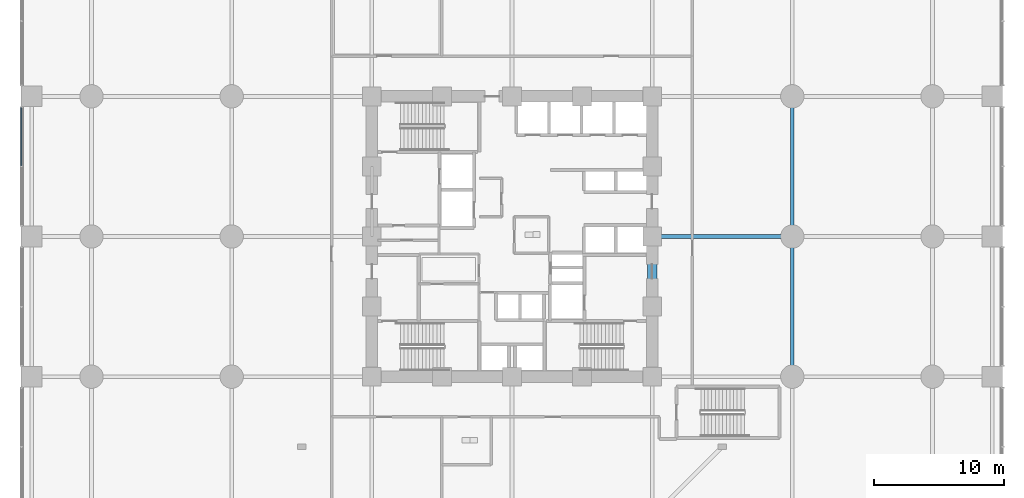
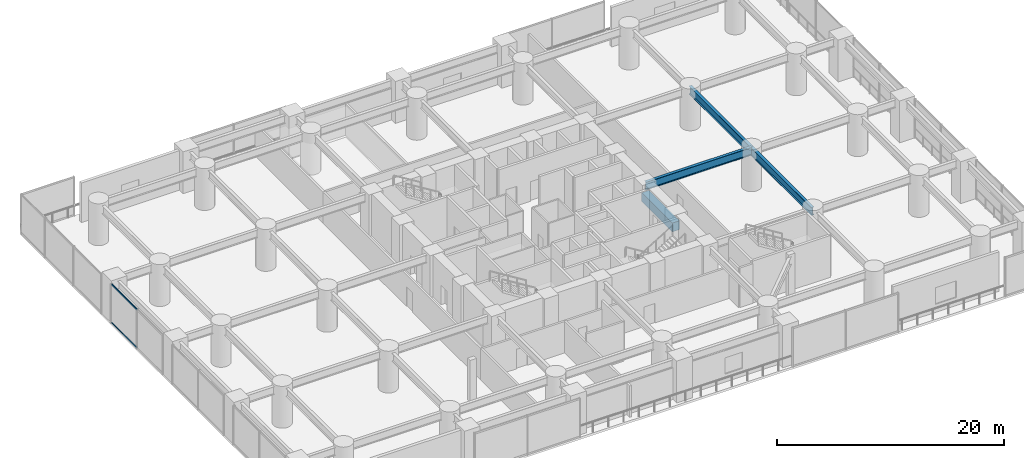
# One storey, part 10 of 36: 4 beams, 2 members, 1 element without a shape of its own.
"""IFC4 building model written with IfcOpenShell, lengths in metres."""

from ifc_helpers import new_model, si_unit, direction, frame, origin, origin_2d, place, context, subcontext, project, spatial, rectangle, hollow_rectangle, i_section, extrude, material, layer, layer_set, material_profile, profile_set, type_object, element, aggregate, save


model = new_model("IFC4")

# Units and contexts
model_context = context("Model", 3, precision=1e-05, world=origin(), true_north=direction((0.0, 1.0)))
body_context = subcontext(model_context, "Body", "Model", "MODEL_VIEW")
ifc_project = project(units=[si_unit("LENGTHUNIT", "METRE"), si_unit("AREAUNIT", "SQUARE_METRE"), si_unit("VOLUMEUNIT", "CUBIC_METRE"), si_unit("PLANEANGLEUNIT", "RADIAN"), si_unit("MASSUNIT", "GRAM", prefix="KILO")], contexts=[model_context])

# Site, building, storey
site_placement = place(None, origin())
site = spatial("IfcSite", under=ifc_project, at=site_placement, CompositionType="ELEMENT")
building_placement = place(site_placement, origin())
building = spatial("IfcBuilding", under=site, at=building_placement, Name="Surkhivell Harbour Commons", CompositionType="ELEMENT")
storey_placement = place(building_placement, frame((0.0, 0.0, 9.0)))
storey = spatial("IfcBuildingStorey", under=building, at=storey_placement, Name="L02", CompositionType="ELEMENT", Elevation=9.0)

# Beams
ifc_material_1 = material(Name="Concrete C60/75", Category="concrete")
ifc_material_profile_1 = material_profile(ifc_material_1, rectangle(XDim=0.75, YDim=0.949951171875, at=origin_2d()), Name="RC-CBM-750x950")
ifc_profile_set_1 = profile_set([ifc_material_profile_1], Name="Concrete C60/75")
beam_type_1 = type_object("IfcBeamType", Name="BM-CPL-RC950", PredefinedType="BEAM", material=ifc_profile_set_1)
beam_placement = place(storey_placement, frame((10.800048828125, -5.39990234375, 2.699951171875), z_axis=(0.0, 1.0, 0.0), x_axis=(-1.0, 0.0, 0.0)))
element("IfcBeam", 1, at=beam_placement, inside=storey, type_object=beam_type_1, Name="L02 Core Coupling Beam CB-1", PredefinedType="BEAM", context=body_context, shape_type="SweptSolid", body=[
    extrude(rectangle(XDim=0.75, YDim=0.949951171875, at=origin_2d()), origin(), (0.0, 0.0, 1.0), 5.39990234375),
])
ifc_material_2 = material(Name="Steel S460", Category="steel")
ifc_material_profile_2 = material_profile(ifc_material_2, i_section(OverallWidth=0.2939453125, OverallDepth=0.85107421875, WebThickness=0.01611328125, FlangeThickness=0.02685546875, at=origin_2d()), Name="UB838x292x226")
ifc_profile_set_2 = profile_set([ifc_material_profile_2], Name="Steel S460")
beam_type_2 = type_object("IfcBeamType", Name="BM-SPN-838", PredefinedType="SPANDREL", material=ifc_profile_set_2)
for number, where, z_axis, x_axis, name in (
    (2, (10.800048828125, 0.0, 3.824462890625), (1.0, 0.0, 0.0), (0.0, 1.0, 0.0), "L02 Framing Beam (10.8,0.0)"),
    (3, (21.60009765625, -10.800048828125, 3.824462890625), (0.0, 1.0, 0.0), (-1.0, 0.0, 0.0), "L02 Framing Beam (21.6,-10.8)"),
    (4, (21.60009765625, 0.0, 3.824462890625), (0.0, 1.0, 0.0), (-1.0, 0.0, 0.0), "L02 Framing Beam (21.6,0.0)"),
):
    element("IfcBeam", number, at=place(storey_placement, frame(where, z_axis=z_axis, x_axis=x_axis)), inside=storey, type_object=beam_type_2, Name=name, PredefinedType="SPANDREL", context=body_context, shape_type="SweptSolid", body=[
        extrude(i_section(OverallWidth=0.2939453125, OverallDepth=0.85107421875, WebThickness=0.01611328125, FlangeThickness=0.02685546875, at=origin_2d()), origin(), (0.0, 0.0, 1.0), 10.800048828125),
    ])

# Curtain wall, members
ifc_material_3 = material(Name="Anodised pale-metal aluminium and insulated glazing", Category="aluminium")
ifc_layer = layer(ifc_material_3, 0.239990234375)
ifc_layer_set = layer_set([ifc_layer], Name="Anodised pale-metal aluminium and insulated glazing")
curtain_wall_type = type_object("IfcCurtainWallType", Name="CW-SYS-POD", PredefinedType="NOTDEFINED", material=ifc_layer_set)
curtain_wall_placement = place(storey_placement, origin())
curtain_wall = element("IfcCurtainWall", 5, at=curtain_wall_placement, inside=storey, type_object=curtain_wall_type, Name="L02 Curtain Wall CW-L02-W4", PredefinedType="NOTDEFINED")
ifc_material_4 = material(Name="Anodised pale-metal aluminium alloy 6063-T6", Category="aluminium")
ifc_material_profile_3 = material_profile(ifc_material_4, hollow_rectangle(XDim=0.074951171875, YDim=0.14990234375, WallThickness=0.00341796875, at=origin_2d()), Name="ALU-TRAN-75x150")
ifc_profile_set_3 = profile_set([ifc_material_profile_3], Name="Anodised pale-metal aluminium alloy 6063-T6")
member_type = type_object("IfcMemberType", Name="CWT-150", PredefinedType="USERDEFINED", material=ifc_profile_set_3)
member_1_placement = place(storey_placement, frame((-37.800048828125, 5.4375, 0.074951171875), z_axis=(0.0, 1.0, 0.0), x_axis=(-1.0, 0.0, 0.0)))
member_1 = element("IfcMember", 6, at=member_1_placement, type_object=member_type, Name="CW-POD transom 2.1", ObjectType="TRANSOM", PredefinedType="USERDEFINED", context=body_context, shape_type="SweptSolid", body=[
    extrude(hollow_rectangle(XDim=0.074951171875, YDim=0.14990234375, WallThickness=0.00341796875, at=origin_2d()), origin(), (0.0, 0.0, 1.0), 4.485595703125),
])
member_2_placement = place(storey_placement, frame((-37.800048828125, 5.4375, 4.175048828125), z_axis=(0.0, 1.0, 0.0), x_axis=(-1.0, 0.0, 0.0)))
member_2 = element("IfcMember", 7, at=member_2_placement, type_object=member_type, Name="CW-POD transom 2.2", ObjectType="TRANSOM", PredefinedType="USERDEFINED", context=body_context, shape_type="SweptSolid", body=[
    extrude(hollow_rectangle(XDim=0.074951171875, YDim=0.14990234375, WallThickness=0.00341796875, at=origin_2d()), origin(), (0.0, 0.0, 1.0), 4.485595703125),
])
aggregate(curtain_wall, [member_1, member_2])

save(model, "model.ifc")
